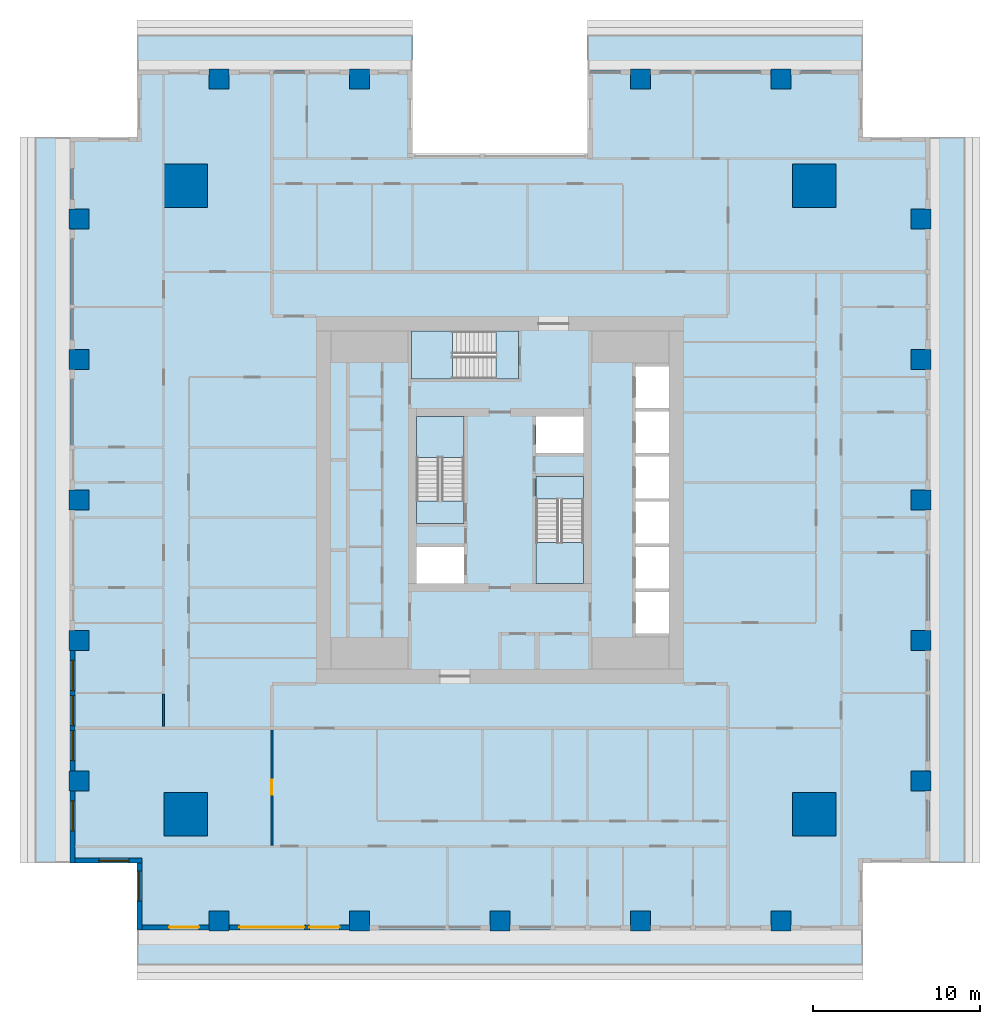
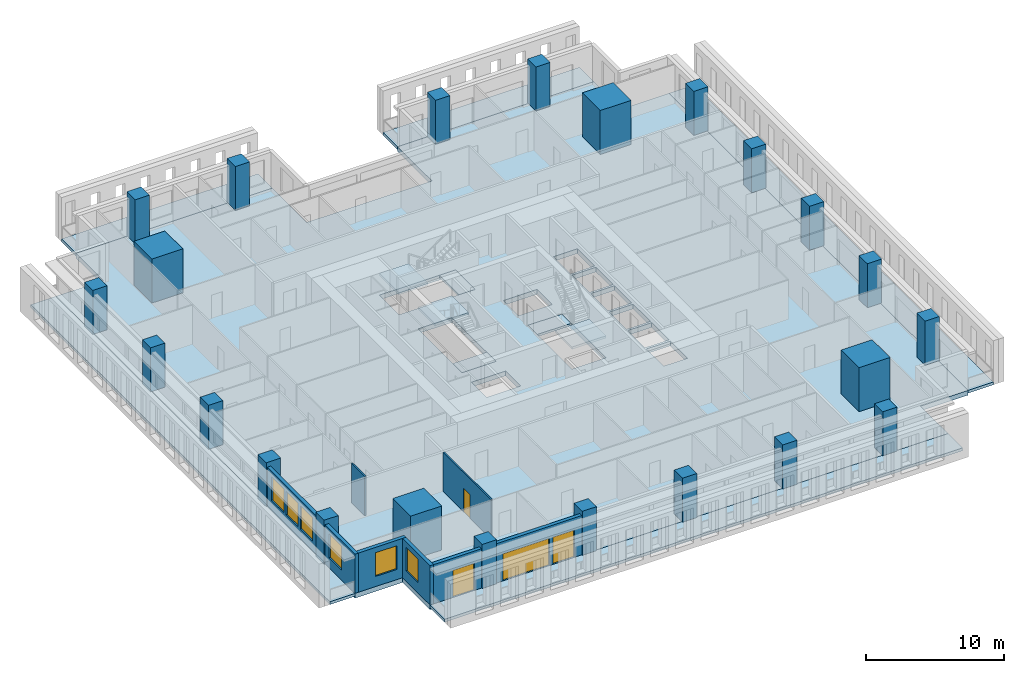
# One storey, part 1 of 15: 23 columns, 12 slabs, 8 walls, 6 windows, 4 doors, 10 openings, 3 elements without a shape of their own.
"""IFC4 building model written with IfcOpenShell, lengths in metres."""

import ifcopenshell
import ifcopenshell.guid

model = None  # the IFC model being written
_history = None  # IfcOwnerHistory: only IFC2X3 demands one
_inside = {}  # id of a spatial element -> (the spatial element, [elements in it])
_under = {}  # id of a project, library or spatial element -> (it, [spatial elements below it])
_declared = {}  # id of a project -> (the project, [libraries it declares])
_typed = {}  # id of a type object -> (the type object, [elements of that type])
_made_of = {}  # id of a material, layer set ... -> (it, [elements and type objects made of it])


def new_model(schema):
    """Start an empty IFC model of exactly this schema.

    Asked for "IFC4X3", IfcOpenShell would pick the latest addendum, in which some entities
    have other attributes; the version numbers below select the first issue.
    IFC2X3 requires an IfcOwnerHistory on every rooted entity: one is made here for all.
    """
    global model, _history
    if schema == "IFC4X3":
        model = ifcopenshell.file(schema_version=(4, 3, 0, 0))
    else:
        model = ifcopenshell.file(schema=schema)
    _inside.clear()
    _under.clear()
    _declared.clear()
    _typed.clear()
    _made_of.clear()
    _history = None
    if model.schema == "IFC2X3":
        org = make("IfcOrganization", Name="unknown")
        user = make(
            "IfcPersonAndOrganization",
            ThePerson=make("IfcPerson", FamilyName="unknown"),
            TheOrganization=org,
        )
        app = make(
            "IfcApplication",
            ApplicationDeveloper=org,
            Version="unknown",
            ApplicationFullName="unknown",
            ApplicationIdentifier="unknown",
        )
        _history = make(
            "IfcOwnerHistory",
            OwningUser=user,
            OwningApplication=app,
            ChangeAction="ADDED",
            CreationDate=0,
        )
    return model


def make(cls, **values):
    """One entity of the class cls with the attributes given. An attribute that is None is left unset."""
    return model.create_entity(
        cls, **{name: value for name, value in values.items() if value is not None}
    )


def rooted(cls, **values):
    """An entity with a GlobalId (a new one), such as an element, a storey or a relation."""
    return make(cls, GlobalId=ifcopenshell.guid.new(), OwnerHistory=_history, **values)


def si_unit(unit_type, name, prefix=None):
    """IfcSIUnit, for example si_unit("LENGTHUNIT", "METRE", prefix="MILLI")."""
    return make("IfcSIUnit", UnitType=unit_type, Prefix=prefix, Name=name)


def assignment(units):
    """IfcUnitAssignment: the units of a project."""
    return None if units is None else make("IfcUnitAssignment", Units=units)


def point(xyz):
    """IfcCartesianPoint."""
    return None if xyz is None else make("IfcCartesianPoint", Coordinates=xyz)


def direction(xyz):
    """IfcDirection."""
    return None if xyz is None else make("IfcDirection", DirectionRatios=xyz)


def frame(location, z_axis=None, x_axis=None):
    """IfcAxis2Placement3D, a coordinate frame: its origin and axes. An axis left out is left unset."""
    return make(
        "IfcAxis2Placement3D",
        Location=point(location),
        Axis=direction(z_axis),
        RefDirection=direction(x_axis),
    )


def frame_2d(location, x_axis=None):
    """IfcAxis2Placement2D, a coordinate frame in the plane: its origin and x axis."""
    return make(
        "IfcAxis2Placement2D", Location=point(location), RefDirection=direction(x_axis)
    )


def origin():
    """The frame at (0, 0, 0) with its axes left unset."""
    return frame((0.0, 0.0, 0.0))


def origin_2d():
    """The frame at (0, 0) in the plane with its x axis left unset."""
    return frame_2d((0.0, 0.0))


def place(relative_to, where):
    """IfcLocalPlacement: puts the frame where relative to a parent placement (None: the world)."""
    return make(
        "IfcLocalPlacement", PlacementRelTo=relative_to, RelativePlacement=where
    )


def context(
    kind, dimensions, precision=None, world=None, true_north=None, identifier=None
):
    """IfcGeometricRepresentationContext, for example the 3D "Model" context."""
    return make(
        "IfcGeometricRepresentationContext",
        ContextIdentifier=identifier,
        ContextType=kind,
        CoordinateSpaceDimension=dimensions,
        Precision=precision,
        WorldCoordinateSystem=world,
        TrueNorth=true_north,
    )


def subcontext(parent, identifier, kind, view, scale=None):
    """IfcGeometricRepresentationSubContext, for example "Body" below "Model"."""
    return make(
        "IfcGeometricRepresentationSubContext",
        ContextIdentifier=identifier,
        ContextType=kind,
        ParentContext=parent,
        TargetScale=scale,
        TargetView=view,
    )


def project(units=None, contexts=None):
    """IfcProject with its units and contexts."""
    return rooted(
        "IfcProject",
        Name="project",
        RepresentationContexts=contexts,
        UnitsInContext=assignment(units),
    )


def spatial(cls, under=None, at=None, **own):
    """A site, building, storey or space (cls), placed at a placement, below another one or the project."""
    s = rooted(cls, ObjectPlacement=at, **own)
    if under is not None:
        _under.setdefault(under.id(), (under, []))[1].append(s)
    return s


def polyline(points):
    """IfcPolyline through the points."""
    return make("IfcPolyline", Points=[point(p) for p in points])


def profile(cls, at=None, kind="AREA", **sizes):
    """A parametric profile (cls). Its sizes go by their IFC names, for example OverallWidth=200.0."""
    return make(cls, ProfileType=kind, Position=at, **sizes)


def rectangle(**sizes):
    """IfcRectangleProfileDef."""
    return profile("IfcRectangleProfileDef", **sizes)


def outline(outer, holes=None, kind="AREA"):
    """IfcArbitraryClosedProfileDef: a profile drawn as a closed curve; with holes, ...WithVoids."""
    if holes is None:
        return make("IfcArbitraryClosedProfileDef", ProfileType=kind, OuterCurve=outer)
    return make(
        "IfcArbitraryProfileDefWithVoids",
        ProfileType=kind,
        OuterCurve=outer,
        InnerCurves=holes,
    )


def extrude(swept, where, along, depth):
    """IfcExtrudedAreaSolid: the profile swept, set in the frame where, extruded along a direction by depth."""
    return make(
        "IfcExtrudedAreaSolid",
        SweptArea=swept,
        Position=where,
        ExtrudedDirection=direction(along),
        Depth=depth,
    )


def shape(context_of_items, identifier, shape_type, items):
    """IfcShapeRepresentation: the items that make up one representation, for example the "Body"."""
    return make(
        "IfcShapeRepresentation",
        ContextOfItems=context_of_items,
        RepresentationIdentifier=identifier,
        RepresentationType=shape_type,
        Items=items,
    )


def material(Name=None, Category=None):
    """IfcMaterial."""
    return make("IfcMaterial", Name=Name, Category=Category)


def layer(
    of_material, thickness, ventilated=None, Name=None, Category=None, Priority=None
):
    """IfcMaterialLayer: one layer of a wall or slab, of a material (None: an air gap)."""
    return make(
        "IfcMaterialLayer",
        Material=of_material,
        LayerThickness=thickness,
        IsVentilated=ventilated,
        Name=Name,
        Category=Category,
        Priority=Priority,
    )


def layer_set(layers, Name=None):
    """IfcMaterialLayerSet."""
    return make("IfcMaterialLayerSet", MaterialLayers=layers, LayerSetName=Name)


def material_profile(
    of_material, cross_section, Name=None, Category=None, Priority=None
):
    """IfcMaterialProfile: a cross section and its material."""
    return make(
        "IfcMaterialProfile",
        Name=Name,
        Material=of_material,
        Profile=cross_section,
        Priority=Priority,
        Category=Category,
    )


def profile_set(profiles, Name=None, composite=None):
    """IfcMaterialProfileSet."""
    return make(
        "IfcMaterialProfileSet",
        Name=Name,
        MaterialProfiles=profiles,
        CompositeProfile=composite,
    )


def made_of(thing, what):
    """Note that an element or type object is made of a material, layer set ...; save() writes the relation."""
    if what is not None:
        _made_of.setdefault(what.id(), (what, []))[1].append(thing)
    return thing


def type_object(cls, material=None, **own):
    """A type object (cls), such as IfcWallType, which elements share."""
    return made_of(rooted(cls, **own), material)


def element(
    cls,
    number,
    at=None,
    inside=None,
    cuts=None,
    type_object=None,
    material=None,
    context=None,
    identifier="Body",
    shape_type=None,
    held_by="IfcProductDefinitionShape",
    body=None,
    shapes=None,
    **own,
):
    """One element of the class cls, such as IfcWall. Its Tag is "e" and its number.

    at: its placement. inside: the storey or other place that contains it. cuts: it is an
    opening in that element (IfcRelVoidsElement). A single representation is given by context,
    identifier, shape_type and body (its items); several are given by shapes. held_by: the class
    of the entity that holds the representations. save() writes the other relations.
    """
    e = rooted(cls, Tag="e%d" % number, ObjectPlacement=at, **own)
    if body is not None:
        shapes = [shape(context, identifier, shape_type, body)]
    if shapes is not None:
        e.Representation = make(held_by, Representations=shapes)
    if inside is not None:
        _inside.setdefault(inside.id(), (inside, []))[1].append(e)
    if cuts is not None:
        rooted(
            "IfcRelVoidsElement", RelatingBuildingElement=cuts, RelatedOpeningElement=e
        )
    if type_object is not None:
        _typed.setdefault(type_object.id(), (type_object, []))[1].append(e)
    return made_of(e, material)


def fill(opening, filler):
    """IfcRelFillsElement: the door or window that sits in an opening."""
    return rooted(
        "IfcRelFillsElement",
        RelatingOpeningElement=opening,
        RelatedBuildingElement=filler,
    )


def aggregate(whole, parts):
    """IfcRelAggregates: a whole, such as a stair, and the parts it consists of."""
    return rooted("IfcRelAggregates", RelatingObject=whole, RelatedObjects=parts)


def save(model, path):
    """Write the relations noted so far, then the file.

    IfcRelAggregates (storeys below a building ...), IfcRelContainedInSpatialStructure (elements
    in a storey), IfcRelDefinesByType, IfcRelAssociatesMaterial and IfcRelDeclares: one each for
    every whole, place, type object, material and project.
    """
    for whole, parts in _under.values():
        aggregate(whole, parts)
    for where, things in _inside.values():
        rooted(
            "IfcRelContainedInSpatialStructure",
            RelatedElements=things,
            RelatingStructure=where,
        )
    for kind, things in _typed.values():
        rooted("IfcRelDefinesByType", RelatedObjects=things, RelatingType=kind)
    for what, things in _made_of.values():
        rooted("IfcRelAssociatesMaterial", RelatedObjects=things, RelatingMaterial=what)
    for by, libraries in _declared.values():
        rooted("IfcRelDeclares", RelatingContext=by, RelatedDefinitions=libraries)
    model.write(path)


model = new_model("IFC4")

# Units and contexts
model_context = context("Model", 3, precision=1e-05, world=origin(), true_north=direction((0.0, 1.0)))
body_context = subcontext(model_context, "Body", "Model", "MODEL_VIEW")
ifc_project = project(units=[si_unit("LENGTHUNIT", "METRE"), si_unit("AREAUNIT", "SQUARE_METRE"), si_unit("VOLUMEUNIT", "CUBIC_METRE"), si_unit("PLANEANGLEUNIT", "RADIAN"), si_unit("MASSUNIT", "GRAM", prefix="KILO")], contexts=[model_context])

# Site, building, storey
site_placement = place(None, origin())
site = spatial("IfcSite", under=ifc_project, at=site_placement, CompositionType="ELEMENT")
building_placement = place(site_placement, origin())
building = spatial("IfcBuilding", under=site, at=building_placement, Name="Khepri Terraces", CompositionType="ELEMENT")
storey_placement = place(building_placement, frame((0.0, 0.0, 145.5)))
storey = spatial("IfcBuildingStorey", under=building, at=storey_placement, Name="L34", CompositionType="ELEMENT", Elevation=145.5)

# Columns
ifc_material_1 = material(Name="Concrete C60/75", Category="concrete")
ifc_material_profile_1 = material_profile(ifc_material_1, rectangle(XDim=2.60009765625, YDim=2.60009765625, at=origin_2d()), Name="Concrete C60/75", Category="concrete")
ifc_profile_set_1 = profile_set([ifc_material_profile_1], Name="Concrete C60/75")
column_type_1 = type_object("IfcColumnType", Name="Mega column RC 2600x2600 C60/75", PredefinedType="COLUMN", material=ifc_profile_set_1)
for number, where, z_axis, x_axis, name in (
    (1, (18.800048828125, 18.800048828125, 0.0), (0.0, 0.0, 1.0), (1.0, 0.0, 0.0), "Mega column MEN L34"),
    (2, (18.800048828125, -18.800048828125, 0.0), (0.0, 0.0, 1.0), (1.0, 0.0, 0.0), "Mega column MES L34"),
    (3, (-18.800048828125, 18.800048828125, 0.0), (0.0, 0.0, 1.0), (1.0, 0.0, 0.0), "Mega column MWN L34"),
    (4, (-18.800048828125, -18.800048828125, 0.0), (0.0, 0.0, 1.0), (1.0, 0.0, 0.0), "Mega column MWS L34"),
):
    element("IfcColumn", number, at=place(storey_placement, frame(where, z_axis=z_axis, x_axis=x_axis)), inside=storey, type_object=column_type_1, Name=name, PredefinedType="COLUMN", context=body_context, shape_type="SweptSolid", body=[
        extrude(rectangle(XDim=2.60009765625, YDim=2.60009765625, at=origin_2d()), origin(), (0.0, 0.0, 1.0), 3.89990234375),
    ])
ifc_material_profile_2 = material_profile(ifc_material_1, rectangle(XDim=1.199951171875, YDim=1.199951171875, at=origin_2d()), Name="Concrete C60/75", Category="concrete")
ifc_profile_set_2 = profile_set([ifc_material_profile_2], Name="Concrete C60/75")
column_type_2 = type_object("IfcColumnType", Name="Tower column RC 1200x1200 C60/75", PredefinedType="COLUMN", material=ifc_profile_set_2)
for number, where, z_axis, x_axis, name in (
    (5, (25.199951171875, 0.0, 0.0), (0.0, 0.0, 1.0), (1.0, 0.0, 0.0), "Perimeter column PE+000a L34"),
    (6, (25.199951171875, 8.39990234375, 0.0), (0.0, 0.0, 1.0), (1.0, 0.0, 0.0), "Perimeter column PE+084a L34"),
    (7, (25.199951171875, 16.800048828125, 0.0), (0.0, 0.0, 1.0), (1.0, 0.0, 0.0), "Perimeter column PE+168a L34"),
    (8, (25.199951171875, -8.39990234375, 0.0), (0.0, 0.0, 1.0), (1.0, 0.0, 0.0), "Perimeter column PE-084a L34"),
    (9, (25.199951171875, -16.800048828125, 0.0), (0.0, 0.0, 1.0), (1.0, 0.0, 0.0), "Perimeter column PE-168a L34"),
    (10, (-8.39990234375, 25.199951171875, 0.0), (0.0, 0.0, 1.0), (1.0, 0.0, 0.0), "Perimeter column PN+084a L34"),
    (11, (-16.800048828125, 25.199951171875, 0.0), (0.0, 0.0, 1.0), (1.0, 0.0, 0.0), "Perimeter column PN+168a L34"),
    (12, (8.39990234375, 25.199951171875, 0.0), (0.0, 0.0, 1.0), (1.0, 0.0, 0.0), "Perimeter column PN-084a L34"),
    (13, (16.800048828125, 25.199951171875, 0.0), (0.0, 0.0, 1.0), (1.0, 0.0, 0.0), "Perimeter column PN-168a L34"),
    (14, (0.0, -25.199951171875, 0.0), (0.0, 0.0, 1.0), (1.0, 0.0, 0.0), "Perimeter column PS+000b L34"),
    (15, (8.39990234375, -25.199951171875, 0.0), (0.0, 0.0, 1.0), (1.0, 0.0, 0.0), "Perimeter column PS+084b L34"),
    (16, (16.800048828125, -25.199951171875, 0.0), (0.0, 0.0, 1.0), (1.0, 0.0, 0.0), "Perimeter column PS+168a L34"),
    (17, (-8.39990234375, -25.199951171875, 0.0), (0.0, 0.0, 1.0), (1.0, 0.0, 0.0), "Perimeter column PS-084b L34"),
    (18, (-16.800048828125, -25.199951171875, 0.0), (0.0, 0.0, 1.0), (1.0, 0.0, 0.0), "Perimeter column PS-168a L34"),
    (19, (-25.199951171875, 0.0, 0.0), (0.0, 0.0, 1.0), (1.0, 0.0, 0.0), "Perimeter column PW+000b L34"),
    (20, (-25.199951171875, -8.39990234375, 0.0), (0.0, 0.0, 1.0), (1.0, 0.0, 0.0), "Perimeter column PW+084b L34"),
    (21, (-25.199951171875, -16.800048828125, 0.0), (0.0, 0.0, 1.0), (1.0, 0.0, 0.0), "Perimeter column PW+168a L34"),
    (22, (-25.199951171875, 8.39990234375, 0.0), (0.0, 0.0, 1.0), (1.0, 0.0, 0.0), "Perimeter column PW-084b L34"),
    (23, (-25.199951171875, 16.800048828125, 0.0), (0.0, 0.0, 1.0), (1.0, 0.0, 0.0), "Perimeter column PW-168a L34"),
):
    element("IfcColumn", number, at=place(storey_placement, frame(where, z_axis=z_axis, x_axis=x_axis)), inside=storey, type_object=column_type_2, Name=name, PredefinedType="COLUMN", context=body_context, shape_type="SweptSolid", body=[
        extrude(rectangle(XDim=1.199951171875, YDim=1.199951171875, at=origin_2d()), origin(), (0.0, 0.0, 1.0), 3.89990234375),
    ])

# Slabs
ifc_material_2 = material(Name="Concrete C40/50", Category="concrete")
ifc_layer_1 = layer(ifc_material_2, 0.419921875, Name="Concrete C40/50", Category="concrete")
ifc_layer_set_1 = layer_set([ifc_layer_1], Name="Concrete C40/50")
slab_type_1 = type_object("IfcSlabType", Name="Flat plate 420", PredefinedType="FLOOR", material=ifc_layer_set_1)
slab_1_placement = place(storey_placement, frame((0.0, 0.0, -0.419921875)))
element("IfcSlab", 24, at=slab_1_placement, inside=storey, type_object=slab_type_1, Name="Floor slab F01 L34", PredefinedType="FLOOR", context=body_context, shape_type="SweptSolid", body=[
    extrude(outline(polyline([(5.25, 25.719970703125), (21.719970703125, 25.719970703125), (21.719970703125, 21.719970703125), (25.719970703125, 21.719970703125), (25.719970703125, -21.719970703125), (21.719970703125, -21.719970703125), (21.719970703125, -25.719970703125), (-21.719970703125, -25.719970703125), (-21.719970703125, -21.719970703125), (-25.719970703125, -21.719970703125), (-25.719970703125, 21.719970703125), (-21.719970703125, 21.719970703125), (-21.719970703125, 25.719970703125), (-5.25, 25.719970703125), (-5.25, 20.719970703125), (5.25, 20.719970703125), (5.25, 25.719970703125)]), holes=[polyline([(2.14990234375, 2.800048828125), (5.0, 2.800048828125), (5.0, 5.0), (2.14990234375, 5.0), (2.14990234375, 2.800048828125)]), polyline([(-5.0, -2.800048828125), (-5.0, -5.0), (-2.14990234375, -5.0), (-2.14990234375, -2.800048828125), (-5.0, -2.800048828125)]), polyline([(10.10009765625, -5.5), (8.10009765625, -5.5), (8.10009765625, -8.0), (10.10009765625, -8.0), (10.10009765625, -5.5)]), polyline([(10.10009765625, -5.300048828125), (10.10009765625, -2.800048828125), (8.10009765625, -2.800048828125), (8.10009765625, -5.300048828125), (10.10009765625, -5.300048828125)]), polyline([(8.10009765625, -2.60009765625), (10.10009765625, -2.60009765625), (10.10009765625, -0.10009765625), (8.10009765625, -0.10009765625), (8.10009765625, -2.60009765625)]), polyline([(8.10009765625, 2.60009765625), (8.10009765625, 0.10009765625), (10.10009765625, 0.10009765625), (10.10009765625, 2.60009765625), (8.10009765625, 2.60009765625)]), polyline([(10.10009765625, 5.300048828125), (8.10009765625, 5.300048828125), (8.10009765625, 2.800048828125), (10.10009765625, 2.800048828125), (10.10009765625, 5.300048828125)]), polyline([(10.10009765625, 5.5), (10.10009765625, 8.0), (8.10009765625, 8.0), (8.10009765625, 5.5), (10.10009765625, 5.5)]), polyline([(-5.0, -1.39990234375), (-2.14990234375, -1.39990234375), (-2.14990234375, 5.0), (-5.0, 5.0), (-5.0, -1.39990234375)]), polyline([(5.0, -5.0), (5.0, 1.39990234375), (2.14990234375, 1.39990234375), (2.14990234375, -5.0), (5.0, -5.0)]), polyline([(-5.300048828125, 10.10009765625), (-5.300048828125, 7.25), (1.10009765625, 7.25), (1.10009765625, 10.10009765625), (-5.300048828125, 10.10009765625)])]), origin(), (0.0, 0.0, 1.0), 0.419921875),
])
ifc_material_3 = material(Name="Precast concrete C50/60 warm stone", Category="masonry")
ifc_layer_2 = layer(ifc_material_3, 0.25, Name="Precast concrete C50/60 warm stone", Category="masonry")
ifc_layer_set_2 = layer_set([ifc_layer_2], Name="Precast concrete C50/60 warm stone")
slab_type_2 = type_object("IfcSlabType", Name="SLB-BALCONY-250", PredefinedType="FLOOR", material=ifc_layer_set_2)
slab_2_placement = place(storey_placement, frame((0.0, 0.0, -0.25)))
element("IfcSlab", 25, at=slab_2_placement, inside=storey, type_object=slab_type_2, Name="Balcony slab L34 S", PredefinedType="FLOOR", context=body_context, shape_type="SweptSolid", body=[
    extrude(outline(polyline([(-17.39990234375, -25.719970703125), (-21.719970703125, -25.719970703125), (-21.719970703125, -27.820068359375), (21.719970703125, -27.820068359375), (21.719970703125, -25.719970703125), (17.39990234375, -25.719970703125), (17.39990234375, -25.800048828125), (16.199951171875, -25.800048828125), (16.199951171875, -25.719970703125), (9.0, -25.719970703125), (9.0, -25.800048828125), (7.800048828125, -25.800048828125), (7.800048828125, -25.719970703125), (0.60009765625, -25.719970703125), (0.60009765625, -25.800048828125), (-0.60009765625, -25.800048828125), (-0.60009765625, -25.719970703125), (-7.800048828125, -25.719970703125), (-7.800048828125, -25.800048828125), (-9.0, -25.800048828125), (-9.0, -25.719970703125), (-16.199951171875, -25.719970703125), (-16.199951171875, -25.800048828125), (-17.39990234375, -25.800048828125), (-17.39990234375, -25.719970703125)])), origin(), (0.0, 0.0, 1.0), 0.25),
])
slab_3_placement = place(storey_placement, frame((0.0, 0.0, -0.25)))
element("IfcSlab", 26, at=slab_3_placement, inside=storey, type_object=slab_type_2, Name="Balcony slab L34 E", PredefinedType="FLOOR", context=body_context, shape_type="SweptSolid", body=[
    extrude(outline(polyline([(25.719970703125, -17.39990234375), (25.719970703125, -21.719970703125), (27.820068359375, -21.719970703125), (27.820068359375, 21.719970703125), (25.719970703125, 21.719970703125), (25.719970703125, 17.39990234375), (25.800048828125, 17.39990234375), (25.800048828125, 16.199951171875), (25.719970703125, 16.199951171875), (25.719970703125, 9.0), (25.800048828125, 9.0), (25.800048828125, 7.800048828125), (25.719970703125, 7.800048828125), (25.719970703125, 0.60009765625), (25.800048828125, 0.60009765625), (25.800048828125, -0.60009765625), (25.719970703125, -0.60009765625), (25.719970703125, -7.800048828125), (25.800048828125, -7.800048828125), (25.800048828125, -9.0), (25.719970703125, -9.0), (25.719970703125, -16.199951171875), (25.800048828125, -16.199951171875), (25.800048828125, -17.39990234375), (25.719970703125, -17.39990234375)])), origin(), (0.0, 0.0, 1.0), 0.25),
])
slab_4_placement = place(storey_placement, frame((0.0, 0.0, -0.25)))
element("IfcSlab", 27, at=slab_4_placement, inside=storey, type_object=slab_type_2, Name="Balcony slab L34 N", PredefinedType="FLOOR", context=body_context, shape_type="SweptSolid", body=[
    extrude(outline(polyline([(17.39990234375, 25.719970703125), (21.719970703125, 25.719970703125), (21.719970703125, 27.820068359375), (5.25, 27.820068359375), (5.25, 25.719970703125), (7.800048828125, 25.719970703125), (7.800048828125, 25.800048828125), (9.0, 25.800048828125), (9.0, 25.719970703125), (16.199951171875, 25.719970703125), (16.199951171875, 25.800048828125), (17.39990234375, 25.800048828125), (17.39990234375, 25.719970703125)])), origin(), (0.0, 0.0, 1.0), 0.25),
])
slab_5_placement = place(storey_placement, frame((0.0, 0.0, -0.25)))
element("IfcSlab", 28, at=slab_5_placement, inside=storey, type_object=slab_type_2, Name="Balcony slab L34 N", PredefinedType="FLOOR", context=body_context, shape_type="SweptSolid", body=[
    extrude(outline(polyline([(-7.800048828125, 25.719970703125), (-5.25, 25.719970703125), (-5.25, 27.820068359375), (-21.719970703125, 27.820068359375), (-21.719970703125, 25.719970703125), (-17.39990234375, 25.719970703125), (-17.39990234375, 25.800048828125), (-16.199951171875, 25.800048828125), (-16.199951171875, 25.719970703125), (-9.0, 25.719970703125), (-9.0, 25.800048828125), (-7.800048828125, 25.800048828125), (-7.800048828125, 25.719970703125)])), origin(), (0.0, 0.0, 1.0), 0.25),
])
slab_6_placement = place(storey_placement, frame((0.0, 0.0, -0.25)))
element("IfcSlab", 29, at=slab_6_placement, inside=storey, type_object=slab_type_2, Name="Balcony slab L34 W", PredefinedType="FLOOR", context=body_context, shape_type="SweptSolid", body=[
    extrude(outline(polyline([(-25.719970703125, 17.39990234375), (-25.719970703125, 21.719970703125), (-27.820068359375, 21.719970703125), (-27.820068359375, -21.719970703125), (-25.719970703125, -21.719970703125), (-25.719970703125, -17.39990234375), (-25.800048828125, -17.39990234375), (-25.800048828125, -16.199951171875), (-25.719970703125, -16.199951171875), (-25.719970703125, -9.0), (-25.800048828125, -9.0), (-25.800048828125, -7.800048828125), (-25.719970703125, -7.800048828125), (-25.719970703125, -0.60009765625), (-25.800048828125, -0.60009765625), (-25.800048828125, 0.60009765625), (-25.719970703125, 0.60009765625), (-25.719970703125, 7.800048828125), (-25.800048828125, 7.800048828125), (-25.800048828125, 9.0), (-25.719970703125, 9.0), (-25.719970703125, 16.199951171875), (-25.800048828125, 16.199951171875), (-25.800048828125, 17.39990234375), (-25.719970703125, 17.39990234375)])), origin(), (0.0, 0.0, 1.0), 0.25),
])

# Stair, slabs
stair_type = type_object("IfcStairType", Name="STAIR-RC-22R", PredefinedType="HALF_TURN_STAIR", material=ifc_material_2)
stair_1_placement = place(storey_placement, origin())
stair_1 = element("IfcStair", 30, at=stair_1_placement, inside=storey, type_object=stair_type, Name="L34 Exit Stair ST-1", PredefinedType="HALF_TURN_STAIR")
ifc_layer_3 = layer(ifc_material_2, 0.199951171875, Name="Concrete C40/50", Category="concrete")
ifc_layer_set_3 = layer_set([ifc_layer_3], Name="Concrete C40/50")
slab_type_3 = type_object("IfcSlabType", Name="SLB-CORE-LANDING", PredefinedType="LANDING", material=ifc_layer_set_3)
slab_7_placement = place(storey_placement, frame((0.0, 0.0, -0.199951171875)))
slab_7 = element("IfcSlab", 31, at=slab_7_placement, type_object=slab_type_3, Name="ST-1 landing 1", PredefinedType="LANDING", context=body_context, shape_type="SweptSolid", body=[
    extrude(outline(polyline([(-2.14990234375, -1.39990234375), (-2.14990234375, -0.050048828125), (-5.0, -0.050048828125), (-5.0, -1.39990234375), (-2.14990234375, -1.39990234375)])), origin(), (0.0, 0.0, 1.0), 0.199951171875),
])
slab_8_placement = place(storey_placement, frame((0.0, 0.0, 1.75)))
slab_8 = element("IfcSlab", 32, at=slab_8_placement, type_object=slab_type_3, Name="ST-1 landing 2", PredefinedType="LANDING", context=body_context, shape_type="SweptSolid", body=[
    extrude(outline(polyline([(-2.14990234375, 2.550048828125), (-2.14990234375, 5.0), (-5.0, 5.0), (-5.0, 2.550048828125), (-2.14990234375, 2.550048828125)])), origin(), (0.0, 0.0, 1.0), 0.199951171875),
])
aggregate(stair_1, [slab_7, slab_8])

stair_2_placement = place(storey_placement, origin())
stair_2 = element("IfcStair", 33, at=stair_2_placement, inside=storey, type_object=stair_type, Name="L34 Exit Stair ST-2", PredefinedType="HALF_TURN_STAIR")
slab_9_placement = place(storey_placement, frame((0.0, 0.0, -0.199951171875)))
slab_9 = element("IfcSlab", 34, at=slab_9_placement, type_object=slab_type_3, Name="ST-2 landing 1", PredefinedType="LANDING", context=body_context, shape_type="SweptSolid", body=[
    extrude(outline(polyline([(2.14990234375, 1.39990234375), (2.14990234375, 0.050048828125), (5.0, 0.050048828125), (5.0, 1.39990234375), (2.14990234375, 1.39990234375)])), origin(), (0.0, 0.0, 1.0), 0.199951171875),
])
slab_10_placement = place(storey_placement, frame((0.0, 0.0, 1.75)))
slab_10 = element("IfcSlab", 35, at=slab_10_placement, type_object=slab_type_3, Name="ST-2 landing 2", PredefinedType="LANDING", context=body_context, shape_type="SweptSolid", body=[
    extrude(outline(polyline([(2.14990234375, -2.550048828125), (2.14990234375, -5.0), (5.0, -5.0), (5.0, -2.550048828125), (2.14990234375, -2.550048828125)])), origin(), (0.0, 0.0, 1.0), 0.199951171875),
])
aggregate(stair_2, [slab_9, slab_10])

stair_3_placement = place(storey_placement, origin())
stair_3 = element("IfcStair", 36, at=stair_3_placement, inside=storey, type_object=stair_type, Name="L34 Exit Stair ST-3", PredefinedType="HALF_TURN_STAIR")
slab_11_placement = place(storey_placement, frame((0.0, 0.0, -0.199951171875)))
slab_11 = element("IfcSlab", 37, at=slab_11_placement, type_object=slab_type_3, Name="ST-3 landing 1", PredefinedType="LANDING", context=body_context, shape_type="SweptSolid", body=[
    extrude(outline(polyline([(1.10009765625, 10.10009765625), (-0.25, 10.10009765625), (-0.25, 7.25), (1.10009765625, 7.25), (1.10009765625, 10.10009765625)])), origin(), (0.0, 0.0, 1.0), 0.199951171875),
])
slab_12_placement = place(storey_placement, frame((0.0, 0.0, 1.75)))
slab_12 = element("IfcSlab", 38, at=slab_12_placement, type_object=slab_type_3, Name="ST-3 landing 2", PredefinedType="LANDING", context=body_context, shape_type="SweptSolid", body=[
    extrude(outline(polyline([(-2.85009765625, 10.10009765625), (-5.300048828125, 10.10009765625), (-5.300048828125, 7.25), (-2.85009765625, 7.25), (-2.85009765625, 10.10009765625)])), origin(), (0.0, 0.0, 1.0), 0.199951171875),
])
aggregate(stair_3, [slab_11, slab_12])

# Wall, openings, windows
ifc_layer_4 = layer(ifc_material_3, 0.300048828125, Name="Precast concrete C50/60 warm stone", Category="masonry")
ifc_layer_set_4 = layer_set([ifc_layer_4], Name="Precast concrete C50/60 warm stone")
wall_type_1 = type_object("IfcWallType", Name="WL-EXT-PRECAST-300", PredefinedType="STANDARD", material=ifc_layer_set_4)
wall_1_placement = place(storey_placement, frame((-25.570068359375, -9.0, 0.0), z_axis=(0.0, 0.0, 1.0), x_axis=(0.0, -1.0, 0.0)))
wall_1 = element("IfcWall", 39, at=wall_1_placement, inside=storey, type_object=wall_type_1, Name="External wall L34 W", PredefinedType="STANDARD", context=body_context, shape_type="SweptSolid", body=[
    extrude(rectangle(XDim=7.199951171875, YDim=0.300048828125, at=frame_2d((3.60009765625, 0.0))), origin(), (0.0, 0.0, 1.0), 3.47998046875),
])
opening_1_placement = place(wall_1_placement, frame((0.60009765625, 0.0, 0.89990234375)))
opening_1 = element("IfcOpeningElement", 40, at=opening_1_placement, cuts=wall_1, Name="Opening W1", PredefinedType="OPENING", context=body_context, shape_type="SweptSolid", body=[
    extrude(rectangle(XDim=1.800048828125, YDim=2.10009765625, at=frame_2d((0.89990234375, 1.050048828125))), frame((0.0, 0.16015625, 0.0), z_axis=(0.0, -1.0, 0.0), x_axis=(1.0, 0.0, 0.0)), (0.0, 0.0, 1.0), 0.320068359375),
])
opening_2_placement = place(wall_1_placement, frame((2.699951171875, 0.0, 0.89990234375)))
opening_2 = element("IfcOpeningElement", 41, at=opening_2_placement, cuts=wall_1, Name="Opening W1", PredefinedType="OPENING", context=body_context, shape_type="SweptSolid", body=[
    extrude(rectangle(XDim=1.800048828125, YDim=2.10009765625, at=frame_2d((0.89990234375, 1.050048828125))), frame((0.0, 0.16015625, 0.0), z_axis=(0.0, -1.0, 0.0), x_axis=(1.0, 0.0, 0.0)), (0.0, 0.0, 1.0), 0.320068359375),
])
opening_3_placement = place(wall_1_placement, frame((4.800048828125, 0.0, 0.89990234375)))
opening_3 = element("IfcOpeningElement", 42, at=opening_3_placement, cuts=wall_1, Name="Opening W1", PredefinedType="OPENING", context=body_context, shape_type="SweptSolid", body=[
    extrude(rectangle(XDim=1.800048828125, YDim=2.10009765625, at=frame_2d((0.89990234375, 1.050048828125))), frame((0.0, 0.16015625, 0.0), z_axis=(0.0, -1.0, 0.0), x_axis=(1.0, 0.0, 0.0)), (0.0, 0.0, 1.0), 0.320068359375),
])
ifc_material_4 = material(Name="Clear glass", Category="glass")
window_type = type_object("IfcWindowType", Name="WIN-RES-1800x2100", PartitioningType="SINGLE_PANEL", PredefinedType="WINDOW", material=ifc_material_4)
window_1_placement = place(opening_1_placement, origin())
window_1 = element("IfcWindow", 43, at=window_1_placement, inside=storey, type_object=window_type, Name="Window L34 W", OverallHeight=2.10009765625, OverallWidth=1.800048828125, PartitioningType="SINGLE_PANEL", PredefinedType="WINDOW", context=body_context, shape_type="SweptSolid", body=[
    extrude(rectangle(XDim=1.800048828125, YDim=2.10009765625, at=frame_2d((0.89990234375, 1.050048828125))), frame((0.0, 0.030029296875, 0.0), z_axis=(0.0, -1.0, 0.0), x_axis=(1.0, 0.0, 0.0)), (0.0, 0.0, 1.0), 0.06005859375),
])
fill(opening_1, window_1)
window_2_placement = place(opening_2_placement, origin())
window_2 = element("IfcWindow", 44, at=window_2_placement, inside=storey, type_object=window_type, Name="Window L34 W", OverallHeight=2.10009765625, OverallWidth=1.800048828125, PartitioningType="SINGLE_PANEL", PredefinedType="WINDOW", context=body_context, shape_type="SweptSolid", body=[
    extrude(rectangle(XDim=1.800048828125, YDim=2.10009765625, at=frame_2d((0.89990234375, 1.050048828125))), frame((0.0, 0.030029296875, 0.0), z_axis=(0.0, -1.0, 0.0), x_axis=(1.0, 0.0, 0.0)), (0.0, 0.0, 1.0), 0.06005859375),
])
fill(opening_2, window_2)
window_3_placement = place(opening_3_placement, origin())
window_3 = element("IfcWindow", 45, at=window_3_placement, inside=storey, type_object=window_type, Name="Window L34 W", OverallHeight=2.10009765625, OverallWidth=1.800048828125, PartitioningType="SINGLE_PANEL", PredefinedType="WINDOW", context=body_context, shape_type="SweptSolid", body=[
    extrude(rectangle(XDim=1.800048828125, YDim=2.10009765625, at=frame_2d((0.89990234375, 1.050048828125))), frame((0.0, 0.030029296875, 0.0), z_axis=(0.0, -1.0, 0.0), x_axis=(1.0, 0.0, 0.0)), (0.0, 0.0, 1.0), 0.06005859375),
])
fill(opening_3, window_3)

# Wall, opening, window
wall_2_placement = place(storey_placement, frame((-25.570068359375, -17.39990234375, 0.0), z_axis=(0.0, 0.0, 1.0), x_axis=(0.0, -1.0, 0.0)))
wall_2 = element("IfcWall", 46, at=wall_2_placement, inside=storey, type_object=wall_type_1, Name="External wall L34 W", PredefinedType="STANDARD", context=body_context, shape_type="SweptSolid", body=[
    extrude(rectangle(XDim=4.320068359375, YDim=0.300048828125, at=frame_2d((2.16015625, 0.0))), origin(), (0.0, 0.0, 1.0), 3.47998046875),
])
opening_4_placement = place(wall_2_placement, frame((0.60009765625, 0.0, 0.89990234375)))
opening_4 = element("IfcOpeningElement", 47, at=opening_4_placement, cuts=wall_2, Name="Opening W1", PredefinedType="OPENING", context=body_context, shape_type="SweptSolid", body=[
    extrude(rectangle(XDim=1.800048828125, YDim=2.10009765625, at=frame_2d((0.89990234375, 1.050048828125))), frame((0.0, 0.16015625, 0.0), z_axis=(0.0, -1.0, 0.0), x_axis=(1.0, 0.0, 0.0)), (0.0, 0.0, 1.0), 0.320068359375),
])
window_4_placement = place(opening_4_placement, origin())
window_4 = element("IfcWindow", 48, at=window_4_placement, inside=storey, type_object=window_type, Name="Window L34 W", OverallHeight=2.10009765625, OverallWidth=1.800048828125, PartitioningType="SINGLE_PANEL", PredefinedType="WINDOW", context=body_context, shape_type="SweptSolid", body=[
    extrude(rectangle(XDim=1.800048828125, YDim=2.10009765625, at=frame_2d((0.89990234375, 1.050048828125))), frame((0.0, 0.030029296875, 0.0), z_axis=(0.0, -1.0, 0.0), x_axis=(1.0, 0.0, 0.0)), (0.0, 0.0, 1.0), 0.06005859375),
])
fill(opening_4, window_4)

wall_3_placement = place(storey_placement, frame((-25.419921875, -21.570068359375, 0.0), z_axis=(0.0, 0.0, 1.0), x_axis=(1.0, 0.0, 0.0)))
wall_3 = element("IfcWall", 49, at=wall_3_placement, inside=storey, type_object=wall_type_1, Name="External wall L34 S", PredefinedType="STANDARD", context=body_context, shape_type="SweptSolid", body=[
    extrude(rectangle(XDim=4.0, YDim=0.300048828125, at=frame_2d((2.0, 0.0))), origin(), (0.0, 0.0, 1.0), 3.47998046875),
])
opening_5_placement = place(wall_3_placement, frame((1.419921875, 0.0, 0.89990234375)))
opening_5 = element("IfcOpeningElement", 50, at=opening_5_placement, cuts=wall_3, Name="Opening W1", PredefinedType="OPENING", context=body_context, shape_type="SweptSolid", body=[
    extrude(rectangle(XDim=1.800048828125, YDim=2.10009765625, at=frame_2d((0.89990234375, 1.050048828125))), frame((0.0, 0.16015625, 0.0), z_axis=(0.0, -1.0, 0.0), x_axis=(1.0, 0.0, 0.0)), (0.0, 0.0, 1.0), 0.320068359375),
])
window_5_placement = place(opening_5_placement, origin())
window_5 = element("IfcWindow", 51, at=window_5_placement, inside=storey, type_object=window_type, Name="Window L34 S", OverallHeight=2.10009765625, OverallWidth=1.800048828125, PartitioningType="SINGLE_PANEL", PredefinedType="WINDOW", context=body_context, shape_type="SweptSolid", body=[
    extrude(rectangle(XDim=1.800048828125, YDim=2.10009765625, at=frame_2d((0.89990234375, 1.050048828125))), frame((0.0, 0.030029296875, 0.0), z_axis=(0.0, -1.0, 0.0), x_axis=(1.0, 0.0, 0.0)), (0.0, 0.0, 1.0), 0.06005859375),
])
fill(opening_5, window_5)

wall_4_placement = place(storey_placement, frame((-21.570068359375, -21.719970703125, 0.0), z_axis=(0.0, 0.0, 1.0), x_axis=(0.0, -1.0, 0.0)))
wall_4 = element("IfcWall", 52, at=wall_4_placement, inside=storey, type_object=wall_type_1, Name="External wall L34 W", PredefinedType="STANDARD", context=body_context, shape_type="SweptSolid", body=[
    extrude(rectangle(XDim=4.0, YDim=0.300048828125, at=frame_2d((2.0, 0.0))), origin(), (0.0, 0.0, 1.0), 3.47998046875),
])
opening_6_placement = place(wall_4_placement, frame((0.47998046875, 0.0, 0.89990234375)))
opening_6 = element("IfcOpeningElement", 53, at=opening_6_placement, cuts=wall_4, Name="Opening W1", PredefinedType="OPENING", context=body_context, shape_type="SweptSolid", body=[
    extrude(rectangle(XDim=1.800048828125, YDim=2.10009765625, at=frame_2d((0.89990234375, 1.050048828125))), frame((0.0, 0.16015625, 0.0), z_axis=(0.0, -1.0, 0.0), x_axis=(1.0, 0.0, 0.0)), (0.0, 0.0, 1.0), 0.320068359375),
])
window_6_placement = place(opening_6_placement, origin())
window_6 = element("IfcWindow", 54, at=window_6_placement, inside=storey, type_object=window_type, Name="Window L34 W", OverallHeight=2.10009765625, OverallWidth=1.800048828125, PartitioningType="SINGLE_PANEL", PredefinedType="WINDOW", context=body_context, shape_type="SweptSolid", body=[
    extrude(rectangle(XDim=1.800048828125, YDim=2.10009765625, at=frame_2d((0.89990234375, 1.050048828125))), frame((0.0, 0.030029296875, 0.0), z_axis=(0.0, -1.0, 0.0), x_axis=(1.0, 0.0, 0.0)), (0.0, 0.0, 1.0), 0.06005859375),
])
fill(opening_6, window_6)

# Wall, opening, door
wall_5_placement = place(storey_placement, frame((-21.419921875, -25.570068359375, 0.0), z_axis=(0.0, 0.0, 1.0), x_axis=(1.0, 0.0, 0.0)))
wall_5 = element("IfcWall", 55, at=wall_5_placement, inside=storey, type_object=wall_type_1, Name="External wall L34 S", PredefinedType="STANDARD", context=body_context, shape_type="SweptSolid", body=[
    extrude(rectangle(XDim=4.02001953125, YDim=0.300048828125, at=frame_2d((2.010009765625, 0.0))), origin(), (0.0, 0.0, 1.0), 3.47998046875),
])
opening_7_placement = place(wall_5_placement, frame((1.6201171875, 0.0, 0.0)))
opening_7 = element("IfcOpeningElement", 56, at=opening_7_placement, cuts=wall_5, Name="Opening ED-L34-14", PredefinedType="OPENING", context=body_context, shape_type="SweptSolid", body=[
    extrude(rectangle(XDim=1.800048828125, YDim=2.39990234375, at=frame_2d((0.89990234375, 1.199951171875))), frame((0.0, 0.16015625, 0.0), z_axis=(0.0, -1.0, 0.0), x_axis=(1.0, 0.0, 0.0)), (0.0, 0.0, 1.0), 0.320068359375),
])
ifc_material_5 = material(Name="Anodised aluminium bronze glazed door", Category="aluminium")
door_type_1 = type_object("IfcDoorType", Name="DR-BAL-SLIDE-1800x2400", OperationType="NOTDEFINED", PredefinedType="DOOR", material=ifc_material_5)
door_1_placement = place(opening_7_placement, origin())
door_1 = element("IfcDoor", 57, at=door_1_placement, inside=storey, type_object=door_type_1, Name="Balcony door L34 S", OperationType="SLIDING_TO_RIGHT", OverallHeight=2.39990234375, OverallWidth=1.800048828125, PredefinedType="DOOR", context=body_context, shape_type="SweptSolid", body=[
    extrude(rectangle(XDim=1.800048828125, YDim=2.39990234375, at=frame_2d((0.89990234375, 1.199951171875))), frame((0.0, 0.02490234375, 0.0), z_axis=(0.0, -1.0, 0.0), x_axis=(1.0, 0.0, 0.0)), (0.0, 0.0, 1.0), 0.050048828125),
])
fill(opening_7, door_1)

# Wall, openings, doors
wall_6_placement = place(storey_placement, frame((-16.199951171875, -25.570068359375, 0.0), z_axis=(0.0, 0.0, 1.0), x_axis=(1.0, 0.0, 0.0)))
wall_6 = element("IfcWall", 58, at=wall_6_placement, inside=storey, type_object=wall_type_1, Name="External wall L34 S", PredefinedType="STANDARD", context=body_context, shape_type="SweptSolid", body=[
    extrude(rectangle(XDim=7.199951171875, YDim=0.300048828125, at=frame_2d((3.60009765625, 0.0))), origin(), (0.0, 0.0, 1.0), 3.47998046875),
])
opening_8_placement = place(wall_6_placement, frame((0.60009765625, 0.0, 0.0)))
opening_8 = element("IfcOpeningElement", 59, at=opening_8_placement, cuts=wall_6, Name="Opening ED-L34-15", PredefinedType="OPENING", context=body_context, shape_type="SweptSolid", body=[
    extrude(rectangle(XDim=3.89990234375, YDim=2.39990234375, at=frame_2d((1.949951171875, 1.199951171875))), frame((0.0, 0.16015625, 0.0), z_axis=(0.0, -1.0, 0.0), x_axis=(1.0, 0.0, 0.0)), (0.0, 0.0, 1.0), 0.320068359375),
])
opening_9_placement = place(wall_6_placement, frame((4.800048828125, 0.0, 0.0)))
opening_9 = element("IfcOpeningElement", 60, at=opening_9_placement, cuts=wall_6, Name="Opening ED-L34-16", PredefinedType="OPENING", context=body_context, shape_type="SweptSolid", body=[
    extrude(rectangle(XDim=1.800048828125, YDim=2.39990234375, at=frame_2d((0.89990234375, 1.199951171875))), frame((0.0, 0.16015625, 0.0), z_axis=(0.0, -1.0, 0.0), x_axis=(1.0, 0.0, 0.0)), (0.0, 0.0, 1.0), 0.320068359375),
])
door_2_placement = place(opening_9_placement, origin())
door_2 = element("IfcDoor", 61, at=door_2_placement, inside=storey, type_object=door_type_1, Name="Balcony door L34 S", OperationType="SLIDING_TO_RIGHT", OverallHeight=2.39990234375, OverallWidth=1.800048828125, PredefinedType="DOOR", context=body_context, shape_type="SweptSolid", body=[
    extrude(rectangle(XDim=1.800048828125, YDim=2.39990234375, at=frame_2d((0.89990234375, 1.199951171875))), frame((0.0, 0.02490234375, 0.0), z_axis=(0.0, -1.0, 0.0), x_axis=(1.0, 0.0, 0.0)), (0.0, 0.0, 1.0), 0.050048828125),
])
fill(opening_9, door_2)
door_type_2 = type_object("IfcDoorType", Name="DR-BAL-SLIDE-3900x2400", OperationType="NOTDEFINED", PredefinedType="DOOR", material=ifc_material_5)
door_3_placement = place(opening_8_placement, origin())
door_3 = element("IfcDoor", 62, at=door_3_placement, inside=storey, type_object=door_type_2, Name="Balcony door L34 S", OperationType="SLIDING_TO_LEFT", OverallHeight=2.39990234375, OverallWidth=3.89990234375, PredefinedType="DOOR", context=body_context, shape_type="SweptSolid", body=[
    extrude(rectangle(XDim=3.89990234375, YDim=2.39990234375, at=frame_2d((1.949951171875, 1.199951171875))), frame((0.0, 0.02490234375, 0.0), z_axis=(0.0, -1.0, 0.0), x_axis=(1.0, 0.0, 0.0)), (0.0, 0.0, 1.0), 0.050048828125),
])
fill(opening_8, door_3)

# Wall, opening, door
ifc_material_6 = material(Name="Gypsum plasterboard partition")
ifc_layer_5 = layer(ifc_material_6, 0.1201171875, Name="Gypsum plasterboard partition")
ifc_layer_set_5 = layer_set([ifc_layer_5], Name="Gypsum plasterboard partition")
wall_type_2 = type_object("IfcWallType", Name="WL-PART-120", PredefinedType="PARTITIONING", material=ifc_layer_set_5)
wall_7_placement = place(storey_placement, frame((-13.64990234375, -20.659912109375, 0.0), z_axis=(0.0, 0.0, 1.0), x_axis=(0.0, 1.0, 0.0)))
wall_7 = element("IfcWall", 63, at=wall_7_placement, inside=storey, type_object=wall_type_2, Name="Partition P-010 L34", PredefinedType="PARTITIONING", context=body_context, shape_type="SweptSolid", body=[
    extrude(rectangle(XDim=6.909912109375, YDim=0.1201171875, at=frame_2d((3.455078125, 0.0))), origin(), (0.0, 0.0, 1.0), 3.47998046875),
])
opening_10_placement = place(wall_7_placement, frame((3.02490234375, 0.0, 0.0)))
opening_10 = element("IfcOpeningElement", 64, at=opening_10_placement, cuts=wall_7, Name="Opening D3", PredefinedType="OPENING", context=body_context, shape_type="SweptSolid", body=[
    extrude(rectangle(XDim=0.89990234375, YDim=2.10009765625, at=frame_2d((0.449951171875, 1.050048828125))), frame((0.0, 0.070068359375, 0.0), z_axis=(0.0, -1.0, 0.0), x_axis=(1.0, 0.0, 0.0)), (0.0, 0.0, 1.0), 0.14013671875),
])
ifc_material_7 = material(Name="Timber door leaf", Category="wood")
door_type_3 = type_object("IfcDoorType", Name="DR-INT-900", OperationType="NOTDEFINED", PredefinedType="DOOR", material=ifc_material_7)
door_4_placement = place(opening_10_placement, origin())
door_4 = element("IfcDoor", 65, at=door_4_placement, inside=storey, type_object=door_type_3, Name="Door Home Cinema", OperationType="SINGLE_SWING_RIGHT", OverallHeight=2.10009765625, OverallWidth=0.89990234375, PredefinedType="DOOR", context=body_context, shape_type="SweptSolid", body=[
    extrude(rectangle(XDim=0.89990234375, YDim=2.10009765625, at=frame_2d((0.449951171875, 1.050048828125))), frame((0.0, 0.02490234375, 0.0), z_axis=(0.0, -1.0, 0.0), x_axis=(1.0, 0.0, 0.0)), (0.0, 0.0, 1.0), 0.050048828125),
])
fill(opening_10, door_4)

# Wall
wall_8_placement = place(storey_placement, frame((-20.1201171875, -13.550048828125, 0.0), z_axis=(0.0, 0.0, 1.0), x_axis=(0.0, 1.0, 0.0)))
element("IfcWall", 66, at=wall_8_placement, inside=storey, type_object=wall_type_2, Name="Partition P-021 L34", PredefinedType="PARTITIONING", context=body_context, shape_type="SweptSolid", body=[
    extrude(rectangle(XDim=1.93994140625, YDim=0.1201171875, at=frame_2d((0.969970703125, 0.0))), origin(), (0.0, 0.0, 1.0), 3.47998046875),
])

save(model, "model.ifc")
